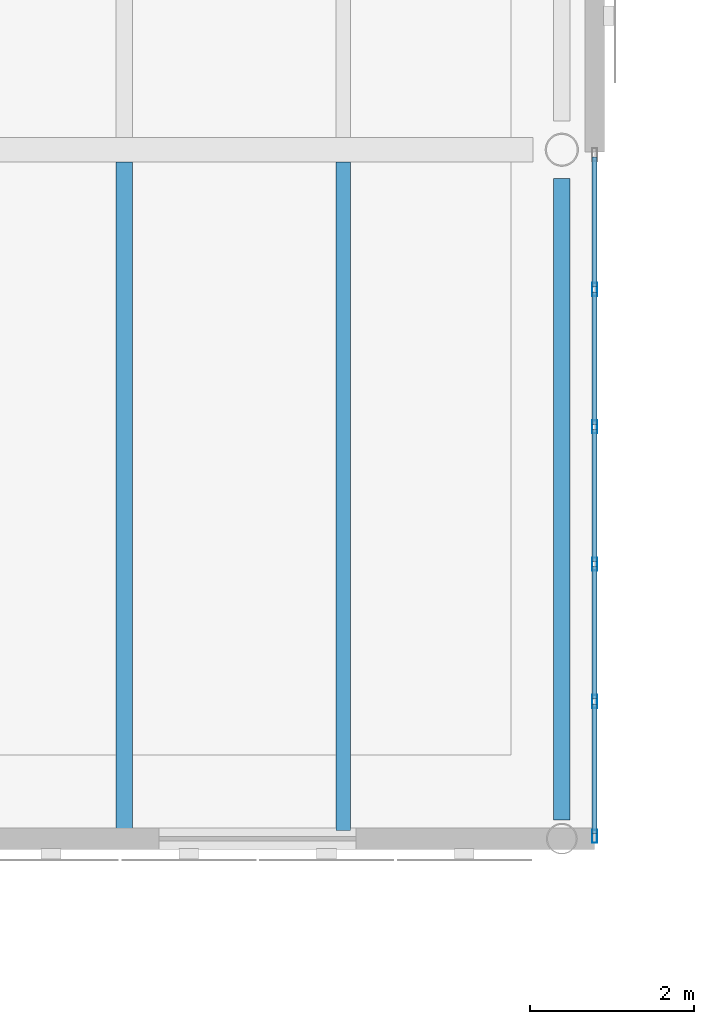
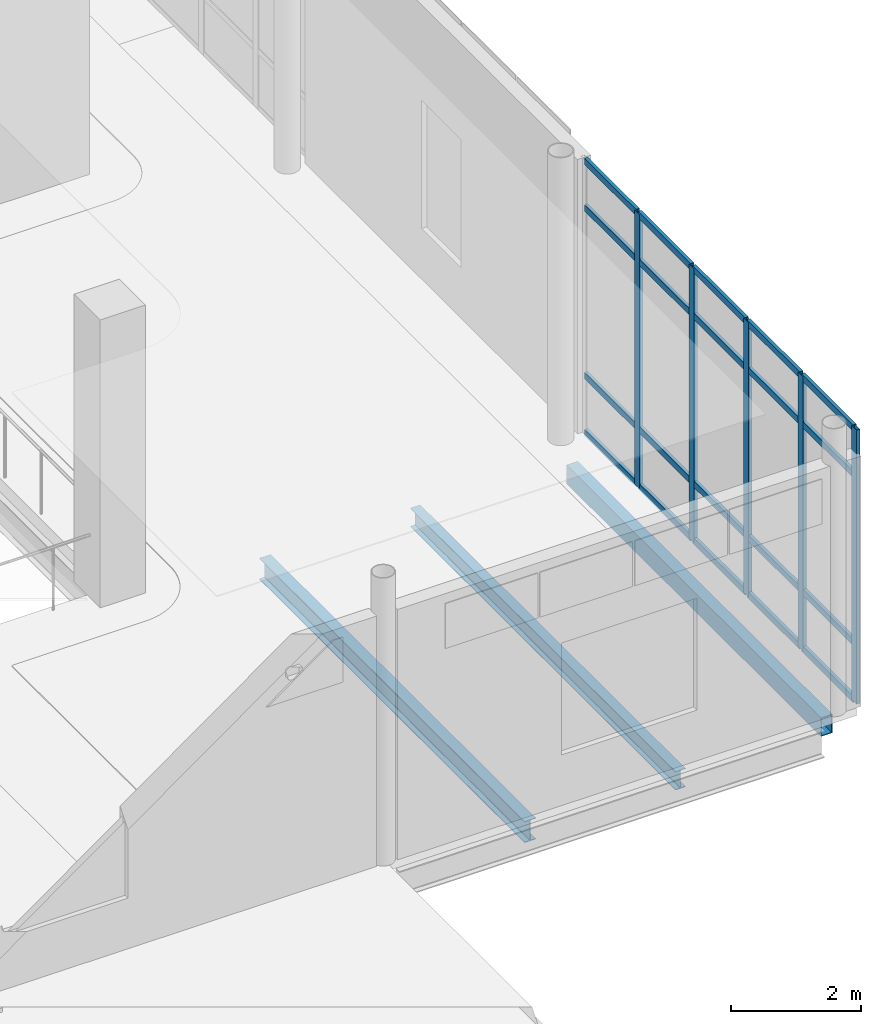
# One storey, part 36 of 110: 25 members, 3 beams, 1 element without a shape of its own.
"""IFC4 building model written with IfcOpenShell, lengths in metres."""

from ifc_helpers import new_model, si_unit, direction, frame, origin, origin_2d, place, context, subcontext, project, spatial, hollow_rectangle, i_section, extrude, material, layer, layer_set, material_profile, profile_set, type_object, element, aggregate, save


model = new_model("IFC4")

# Units and contexts
model_context = context("Model", 3, precision=1e-05, world=origin(), true_north=direction((0.0, 1.0)))
body_context = subcontext(model_context, "Body", "Model", "MODEL_VIEW")
ifc_project = project(units=[si_unit("LENGTHUNIT", "METRE"), si_unit("AREAUNIT", "SQUARE_METRE"), si_unit("VOLUMEUNIT", "CUBIC_METRE"), si_unit("PLANEANGLEUNIT", "RADIAN"), si_unit("MASSUNIT", "GRAM", prefix="KILO"), si_unit("THERMODYNAMICTEMPERATUREUNIT", "KELVIN")], contexts=[model_context])

# Site, building, storey
site_placement = place(None, origin())
site = spatial("IfcSite", under=ifc_project, at=site_placement, CompositionType="ELEMENT")
building_placement = place(site_placement, origin())
building = spatial("IfcBuilding", under=site, at=building_placement, Name="Lustrewick Department Store", CompositionType="ELEMENT")
storey_placement = place(building_placement, frame((0.0, 0.0, 6.0)))
storey = spatial("IfcBuildingStorey", under=building, at=storey_placement, Name="L02", CompositionType="ELEMENT", Elevation=6.0)

# Beams
ifc_material_1 = material(Name="Structural steel Q355B", Category="steel")
ifc_material_profile_1 = material_profile(ifc_material_1, i_section(OverallWidth=0.199951171875, OverallDepth=0.39990234375, WebThickness=0.008056640625, FlangeThickness=0.012939453125, FilletRadius=0.013916015625, at=origin_2d()), Name="HN 400x200x8x13")
ifc_profile_set_1 = profile_set([ifc_material_profile_1], Name="Structural steel Q355B")
beam_type_1 = type_object("IfcBeamType", Name="B05", PredefinedType="JOIST", material=ifc_profile_set_1)
beam_1_placement = place(storey_placement, frame((145.466796875, 8.50048828125, -0.455078125), z_axis=(0.0, 1.0, 0.0), x_axis=(-1.0, 0.0, 0.0)))
element("IfcBeam", 1, at=beam_1_placement, inside=storey, type_object=beam_type_1, Name="L02 V3 Secondary Joist B05", PredefinedType="JOIST", context=body_context, shape_type="SweptSolid", body=[
    extrude(i_section(OverallWidth=0.199951171875, OverallDepth=0.39990234375, WebThickness=0.008056640625, FlangeThickness=0.012939453125, FilletRadius=0.013916015625, at=origin_2d()), origin(), (0.0, 0.0, 1.0), 8.1494140625),
])
ifc_material_profile_2 = material_profile(ifc_material_1, i_section(OverallWidth=0.175048828125, OverallDepth=0.35009765625, WebThickness=0.007080078125, FlangeThickness=0.010986328125, FilletRadius=0.012939453125, at=origin_2d()), Name="HN 350x175x7x11")
ifc_profile_set_2 = profile_set([ifc_material_profile_2], Name="Structural steel Q355B")
beam_type_2 = type_object("IfcBeamType", Name="B09", PredefinedType="JOIST", material=ifc_profile_set_2)
beam_2_placement = place(storey_placement, frame((148.13330078125, 8.50048828125, -0.429931640625), z_axis=(0.0, 1.0, 0.0), x_axis=(-1.0, 0.0, 0.0)))
element("IfcBeam", 2, at=beam_2_placement, inside=storey, type_object=beam_type_2, Name="L02 V3 Secondary Joist B09", PredefinedType="JOIST", context=body_context, shape_type="SweptSolid", body=[
    extrude(i_section(OverallWidth=0.175048828125, OverallDepth=0.35009765625, WebThickness=0.007080078125, FlangeThickness=0.010986328125, FilletRadius=0.012939453125, at=origin_2d()), origin(), (0.0, 0.0, 1.0), 8.1494140625),
])

# Curtain wall, members
ifc_material_2 = material(Name="Thermally broken aluminium 6063-T5", Category="aluminium")
ifc_layer = layer(ifc_material_2, 0.159912109375, Name="Thermally broken aluminium 6063-T5")
ifc_layer_set = layer_set([ifc_layer], Name="Thermally broken aluminium 6063-T5")
curtain_wall_type = type_object("IfcCurtainWallType", Name="CW04", PredefinedType="NOTDEFINED", material=ifc_layer_set)
curtain_wall_placement = place(storey_placement, origin())
curtain_wall = element("IfcCurtainWall", 3, at=curtain_wall_placement, inside=storey, type_object=curtain_wall_type, Name="L02 V3 Curtain Wall CW04", PredefinedType="NOTDEFINED")
ifc_material_profile_3 = material_profile(ifc_material_2, hollow_rectangle(XDim=0.06005859375, YDim=0.159912109375, WallThickness=0.00390625, at=origin_2d()), Name="ALU-M 60x160x4")
ifc_profile_set_3 = profile_set([ifc_material_profile_3], Name="Thermally broken aluminium 6063-T5")
member_type_1 = type_object("IfcMemberType", Name="CW04-M1", PredefinedType="MULLION", material=ifc_profile_set_3)
member_1_placement = place(storey_placement, frame((151.199951171875, 8.429931640625, 0.0), z_axis=(0.0, 0.0, 1.0), x_axis=(-1.0, 0.0, 0.0)))
member_1 = element("IfcMember", 4, at=member_1_placement, type_object=member_type_1, Name="CW04 mullion 1", PredefinedType="MULLION", context=body_context, shape_type="SweptSolid", body=[
    extrude(hollow_rectangle(XDim=0.06005859375, YDim=0.159912109375, WallThickness=0.00390625, at=origin_2d()), origin(), (0.0, 0.0, 1.0), 5.14501953125),
])
member_2_placement = place(storey_placement, frame((151.199951171875, 10.073974609375, 0.0), z_axis=(0.0, 0.0, 1.0), x_axis=(-1.0, 0.0, 0.0)))
member_2 = element("IfcMember", 5, at=member_2_placement, type_object=member_type_1, Name="CW04 mullion 2", PredefinedType="MULLION", context=body_context, shape_type="SweptSolid", body=[
    extrude(hollow_rectangle(XDim=0.06005859375, YDim=0.159912109375, WallThickness=0.00390625, at=origin_2d()), origin(), (0.0, 0.0, 1.0), 5.14501953125),
])
member_3_placement = place(storey_placement, frame((151.199951171875, 11.748046875, 0.0), z_axis=(0.0, 0.0, 1.0), x_axis=(-1.0, 0.0, 0.0)))
member_3 = element("IfcMember", 6, at=member_3_placement, type_object=member_type_1, Name="CW04 mullion 3", PredefinedType="MULLION", context=body_context, shape_type="SweptSolid", body=[
    extrude(hollow_rectangle(XDim=0.06005859375, YDim=0.159912109375, WallThickness=0.00390625, at=origin_2d()), origin(), (0.0, 0.0, 1.0), 5.14501953125),
])
member_4_placement = place(storey_placement, frame((151.199951171875, 13.422119140625, 0.0), z_axis=(0.0, 0.0, 1.0), x_axis=(-1.0, 0.0, 0.0)))
member_4 = element("IfcMember", 7, at=member_4_placement, type_object=member_type_1, Name="CW04 mullion 4", PredefinedType="MULLION", context=body_context, shape_type="SweptSolid", body=[
    extrude(hollow_rectangle(XDim=0.06005859375, YDim=0.159912109375, WallThickness=0.00390625, at=origin_2d()), origin(), (0.0, 0.0, 1.0), 5.14501953125),
])
member_5_placement = place(storey_placement, frame((151.199951171875, 15.095947265625, 0.0), z_axis=(0.0, 0.0, 1.0), x_axis=(-1.0, 0.0, 0.0)))
member_5 = element("IfcMember", 8, at=member_5_placement, type_object=member_type_1, Name="CW04 mullion 5", PredefinedType="MULLION", context=body_context, shape_type="SweptSolid", body=[
    extrude(hollow_rectangle(XDim=0.06005859375, YDim=0.159912109375, WallThickness=0.00390625, at=origin_2d()), origin(), (0.0, 0.0, 1.0), 5.14501953125),
])
ifc_material_profile_4 = material_profile(ifc_material_2, hollow_rectangle(XDim=0.06005859375, YDim=0.1201171875, WallThickness=0.00341796875, at=origin_2d()), Name="ALU-T 60x120x3.5")
ifc_profile_set_4 = profile_set([ifc_material_profile_4], Name="Thermally broken aluminium 6063-T5")
member_type_2 = type_object("IfcMemberType", Name="CW04-T1", PredefinedType="USERDEFINED", material=ifc_profile_set_4)
member_6_placement = place(storey_placement, frame((151.199951171875, 8.4599609375, 0.030029296875), z_axis=(0.0, 1.0, 0.0), x_axis=(-1.0, 0.0, 0.0)))
member_6 = element("IfcMember", 9, at=member_6_placement, type_object=member_type_2, Name="CW04 transom 1.1", ObjectType="TRANSOM", PredefinedType="USERDEFINED", context=body_context, shape_type="SweptSolid", body=[
    extrude(hollow_rectangle(XDim=0.06005859375, YDim=0.1201171875, WallThickness=0.00341796875, at=origin_2d()), origin(), (0.0, 0.0, 1.0), 1.583984375),
])
member_7_placement = place(storey_placement, frame((151.199951171875, 8.4599609375, 1.10009765625), z_axis=(0.0, 1.0, 0.0), x_axis=(-1.0, 0.0, 0.0)))
member_7 = element("IfcMember", 10, at=member_7_placement, type_object=member_type_2, Name="CW04 transom 1.2", ObjectType="TRANSOM", PredefinedType="USERDEFINED", context=body_context, shape_type="SweptSolid", body=[
    extrude(hollow_rectangle(XDim=0.06005859375, YDim=0.1201171875, WallThickness=0.00341796875, at=origin_2d()), origin(), (0.0, 0.0, 1.0), 1.583984375),
])
member_8_placement = place(storey_placement, frame((151.199951171875, 8.4599609375, 4.2451171875), z_axis=(0.0, 1.0, 0.0), x_axis=(-1.0, 0.0, 0.0)))
member_8 = element("IfcMember", 11, at=member_8_placement, type_object=member_type_2, Name="CW04 transom 1.3", ObjectType="TRANSOM", PredefinedType="USERDEFINED", context=body_context, shape_type="SweptSolid", body=[
    extrude(hollow_rectangle(XDim=0.06005859375, YDim=0.1201171875, WallThickness=0.00341796875, at=origin_2d()), origin(), (0.0, 0.0, 1.0), 1.583984375),
])
member_9_placement = place(storey_placement, frame((151.199951171875, 8.4599609375, 5.114990234375), z_axis=(0.0, 1.0, 0.0), x_axis=(-1.0, 0.0, 0.0)))
member_9 = element("IfcMember", 12, at=member_9_placement, type_object=member_type_2, Name="CW04 transom 1.4", ObjectType="TRANSOM", PredefinedType="USERDEFINED", context=body_context, shape_type="SweptSolid", body=[
    extrude(hollow_rectangle(XDim=0.06005859375, YDim=0.1201171875, WallThickness=0.00341796875, at=origin_2d()), origin(), (0.0, 0.0, 1.0), 1.583984375),
])
member_10_placement = place(storey_placement, frame((151.199951171875, 10.10400390625, 0.030029296875), z_axis=(0.0, 1.0, 0.0), x_axis=(-1.0, 0.0, 0.0)))
member_10 = element("IfcMember", 13, at=member_10_placement, type_object=member_type_2, Name="CW04 transom 2.1", ObjectType="TRANSOM", PredefinedType="USERDEFINED", context=body_context, shape_type="SweptSolid", body=[
    extrude(hollow_rectangle(XDim=0.06005859375, YDim=0.1201171875, WallThickness=0.00341796875, at=origin_2d()), origin(), (0.0, 0.0, 1.0), 1.614013671875),
])
member_11_placement = place(storey_placement, frame((151.199951171875, 10.10400390625, 1.10009765625), z_axis=(0.0, 1.0, 0.0), x_axis=(-1.0, 0.0, 0.0)))
member_11 = element("IfcMember", 14, at=member_11_placement, type_object=member_type_2, Name="CW04 transom 2.2", ObjectType="TRANSOM", PredefinedType="USERDEFINED", context=body_context, shape_type="SweptSolid", body=[
    extrude(hollow_rectangle(XDim=0.06005859375, YDim=0.1201171875, WallThickness=0.00341796875, at=origin_2d()), origin(), (0.0, 0.0, 1.0), 1.614013671875),
])
member_12_placement = place(storey_placement, frame((151.199951171875, 10.10400390625, 4.2451171875), z_axis=(0.0, 1.0, 0.0), x_axis=(-1.0, 0.0, 0.0)))
member_12 = element("IfcMember", 15, at=member_12_placement, type_object=member_type_2, Name="CW04 transom 2.3", ObjectType="TRANSOM", PredefinedType="USERDEFINED", context=body_context, shape_type="SweptSolid", body=[
    extrude(hollow_rectangle(XDim=0.06005859375, YDim=0.1201171875, WallThickness=0.00341796875, at=origin_2d()), origin(), (0.0, 0.0, 1.0), 1.614013671875),
])
member_13_placement = place(storey_placement, frame((151.199951171875, 10.10400390625, 5.114990234375), z_axis=(0.0, 1.0, 0.0), x_axis=(-1.0, 0.0, 0.0)))
member_13 = element("IfcMember", 16, at=member_13_placement, type_object=member_type_2, Name="CW04 transom 2.4", ObjectType="TRANSOM", PredefinedType="USERDEFINED", context=body_context, shape_type="SweptSolid", body=[
    extrude(hollow_rectangle(XDim=0.06005859375, YDim=0.1201171875, WallThickness=0.00341796875, at=origin_2d()), origin(), (0.0, 0.0, 1.0), 1.614013671875),
])
member_14_placement = place(storey_placement, frame((151.199951171875, 11.778076171875, 0.030029296875), z_axis=(0.0, 1.0, 0.0), x_axis=(-1.0, 0.0, 0.0)))
member_14 = element("IfcMember", 17, at=member_14_placement, type_object=member_type_2, Name="CW04 transom 3.1", ObjectType="TRANSOM", PredefinedType="USERDEFINED", context=body_context, shape_type="SweptSolid", body=[
    extrude(hollow_rectangle(XDim=0.06005859375, YDim=0.1201171875, WallThickness=0.00341796875, at=origin_2d()), origin(), (0.0, 0.0, 1.0), 1.614013671875),
])
member_15_placement = place(storey_placement, frame((151.199951171875, 11.778076171875, 1.10009765625), z_axis=(0.0, 1.0, 0.0), x_axis=(-1.0, 0.0, 0.0)))
member_15 = element("IfcMember", 18, at=member_15_placement, type_object=member_type_2, Name="CW04 transom 3.2", ObjectType="TRANSOM", PredefinedType="USERDEFINED", context=body_context, shape_type="SweptSolid", body=[
    extrude(hollow_rectangle(XDim=0.06005859375, YDim=0.1201171875, WallThickness=0.00341796875, at=origin_2d()), origin(), (0.0, 0.0, 1.0), 1.614013671875),
])
member_16_placement = place(storey_placement, frame((151.199951171875, 11.778076171875, 4.2451171875), z_axis=(0.0, 1.0, 0.0), x_axis=(-1.0, 0.0, 0.0)))
member_16 = element("IfcMember", 19, at=member_16_placement, type_object=member_type_2, Name="CW04 transom 3.3", ObjectType="TRANSOM", PredefinedType="USERDEFINED", context=body_context, shape_type="SweptSolid", body=[
    extrude(hollow_rectangle(XDim=0.06005859375, YDim=0.1201171875, WallThickness=0.00341796875, at=origin_2d()), origin(), (0.0, 0.0, 1.0), 1.614013671875),
])
member_17_placement = place(storey_placement, frame((151.199951171875, 11.778076171875, 5.114990234375), z_axis=(0.0, 1.0, 0.0), x_axis=(-1.0, 0.0, 0.0)))
member_17 = element("IfcMember", 20, at=member_17_placement, type_object=member_type_2, Name="CW04 transom 3.4", ObjectType="TRANSOM", PredefinedType="USERDEFINED", context=body_context, shape_type="SweptSolid", body=[
    extrude(hollow_rectangle(XDim=0.06005859375, YDim=0.1201171875, WallThickness=0.00341796875, at=origin_2d()), origin(), (0.0, 0.0, 1.0), 1.614013671875),
])
member_18_placement = place(storey_placement, frame((151.199951171875, 13.451904296875, 0.030029296875), z_axis=(0.0, 1.0, 0.0), x_axis=(-1.0, 0.0, 0.0)))
member_18 = element("IfcMember", 21, at=member_18_placement, type_object=member_type_2, Name="CW04 transom 4.1", ObjectType="TRANSOM", PredefinedType="USERDEFINED", context=body_context, shape_type="SweptSolid", body=[
    extrude(hollow_rectangle(XDim=0.06005859375, YDim=0.1201171875, WallThickness=0.00341796875, at=origin_2d()), origin(), (0.0, 0.0, 1.0), 1.614013671875),
])
member_19_placement = place(storey_placement, frame((151.199951171875, 13.451904296875, 1.10009765625), z_axis=(0.0, 1.0, 0.0), x_axis=(-1.0, 0.0, 0.0)))
member_19 = element("IfcMember", 22, at=member_19_placement, type_object=member_type_2, Name="CW04 transom 4.2", ObjectType="TRANSOM", PredefinedType="USERDEFINED", context=body_context, shape_type="SweptSolid", body=[
    extrude(hollow_rectangle(XDim=0.06005859375, YDim=0.1201171875, WallThickness=0.00341796875, at=origin_2d()), origin(), (0.0, 0.0, 1.0), 1.614013671875),
])
member_20_placement = place(storey_placement, frame((151.199951171875, 13.451904296875, 4.2451171875), z_axis=(0.0, 1.0, 0.0), x_axis=(-1.0, 0.0, 0.0)))
member_20 = element("IfcMember", 23, at=member_20_placement, type_object=member_type_2, Name="CW04 transom 4.3", ObjectType="TRANSOM", PredefinedType="USERDEFINED", context=body_context, shape_type="SweptSolid", body=[
    extrude(hollow_rectangle(XDim=0.06005859375, YDim=0.1201171875, WallThickness=0.00341796875, at=origin_2d()), origin(), (0.0, 0.0, 1.0), 1.614013671875),
])
member_21_placement = place(storey_placement, frame((151.199951171875, 13.451904296875, 5.114990234375), z_axis=(0.0, 1.0, 0.0), x_axis=(-1.0, 0.0, 0.0)))
member_21 = element("IfcMember", 24, at=member_21_placement, type_object=member_type_2, Name="CW04 transom 4.4", ObjectType="TRANSOM", PredefinedType="USERDEFINED", context=body_context, shape_type="SweptSolid", body=[
    extrude(hollow_rectangle(XDim=0.06005859375, YDim=0.1201171875, WallThickness=0.00341796875, at=origin_2d()), origin(), (0.0, 0.0, 1.0), 1.614013671875),
])
member_22_placement = place(storey_placement, frame((151.199951171875, 15.1259765625, 0.030029296875), z_axis=(0.0, 1.0, 0.0), x_axis=(-1.0, 0.0, 0.0)))
member_22 = element("IfcMember", 25, at=member_22_placement, type_object=member_type_2, Name="CW04 transom 5.1", ObjectType="TRANSOM", PredefinedType="USERDEFINED", context=body_context, shape_type="SweptSolid", body=[
    extrude(hollow_rectangle(XDim=0.06005859375, YDim=0.1201171875, WallThickness=0.00341796875, at=origin_2d()), origin(), (0.0, 0.0, 1.0), 1.583984375),
])
member_23_placement = place(storey_placement, frame((151.199951171875, 15.1259765625, 1.10009765625), z_axis=(0.0, 1.0, 0.0), x_axis=(-1.0, 0.0, 0.0)))
member_23 = element("IfcMember", 26, at=member_23_placement, type_object=member_type_2, Name="CW04 transom 5.2", ObjectType="TRANSOM", PredefinedType="USERDEFINED", context=body_context, shape_type="SweptSolid", body=[
    extrude(hollow_rectangle(XDim=0.06005859375, YDim=0.1201171875, WallThickness=0.00341796875, at=origin_2d()), origin(), (0.0, 0.0, 1.0), 1.583984375),
])
member_24_placement = place(storey_placement, frame((151.199951171875, 15.1259765625, 4.2451171875), z_axis=(0.0, 1.0, 0.0), x_axis=(-1.0, 0.0, 0.0)))
member_24 = element("IfcMember", 27, at=member_24_placement, type_object=member_type_2, Name="CW04 transom 5.3", ObjectType="TRANSOM", PredefinedType="USERDEFINED", context=body_context, shape_type="SweptSolid", body=[
    extrude(hollow_rectangle(XDim=0.06005859375, YDim=0.1201171875, WallThickness=0.00341796875, at=origin_2d()), origin(), (0.0, 0.0, 1.0), 1.583984375),
])
member_25_placement = place(storey_placement, frame((151.199951171875, 15.1259765625, 5.114990234375), z_axis=(0.0, 1.0, 0.0), x_axis=(-1.0, 0.0, 0.0)))
member_25 = element("IfcMember", 28, at=member_25_placement, type_object=member_type_2, Name="CW04 transom 5.4", ObjectType="TRANSOM", PredefinedType="USERDEFINED", context=body_context, shape_type="SweptSolid", body=[
    extrude(hollow_rectangle(XDim=0.06005859375, YDim=0.1201171875, WallThickness=0.00341796875, at=origin_2d()), origin(), (0.0, 0.0, 1.0), 1.583984375),
])
aggregate(curtain_wall, [member_1, member_2, member_3, member_4, member_5, member_6, member_7, member_8, member_9, member_10, member_11, member_12, member_13, member_14, member_15, member_16, member_17, member_18, member_19, member_20, member_21, member_22, member_23, member_24, member_25])

# Beam
ifc_material_3 = material(Name="Structural steel Q355C", Category="steel")
ifc_material_profile_5 = material_profile(ifc_material_3, hollow_rectangle(XDim=0.199951171875, YDim=0.35009765625, WallThickness=0.011962890625, at=origin_2d()), Name="RHS 350x200x12")
ifc_profile_set_5 = profile_set([ifc_material_profile_5], Name="Structural steel Q355C")
beam_type_3 = type_object("IfcBeamType", Name="SP03", PredefinedType="SPANDREL", material=ifc_profile_set_5)
beam_3_placement = place(storey_placement, frame((150.800048828125, 8.62841796875, -0.429931640625), z_axis=(0.0, 1.0, 0.0), x_axis=(-1.0, 0.0, 0.0)))
element("IfcBeam", 29, at=beam_3_placement, inside=storey, type_object=beam_type_3, Name="L02 V3 Girder SP03", PredefinedType="SPANDREL", context=body_context, shape_type="SweptSolid", body=[
    extrude(hollow_rectangle(XDim=0.199951171875, YDim=0.35009765625, WallThickness=0.011962890625, at=origin_2d()), origin(), (0.0, 0.0, 1.0), 7.821533203125),
])

save(model, "model.ifc")
